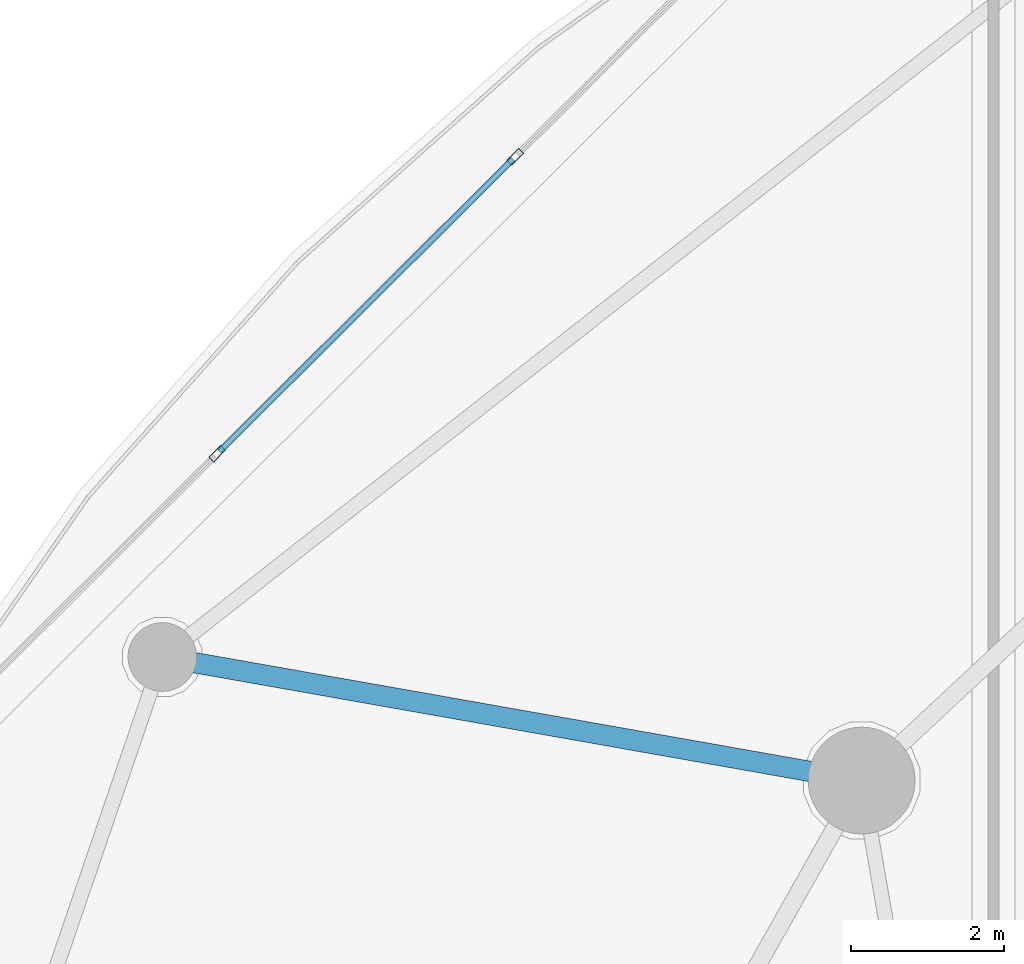
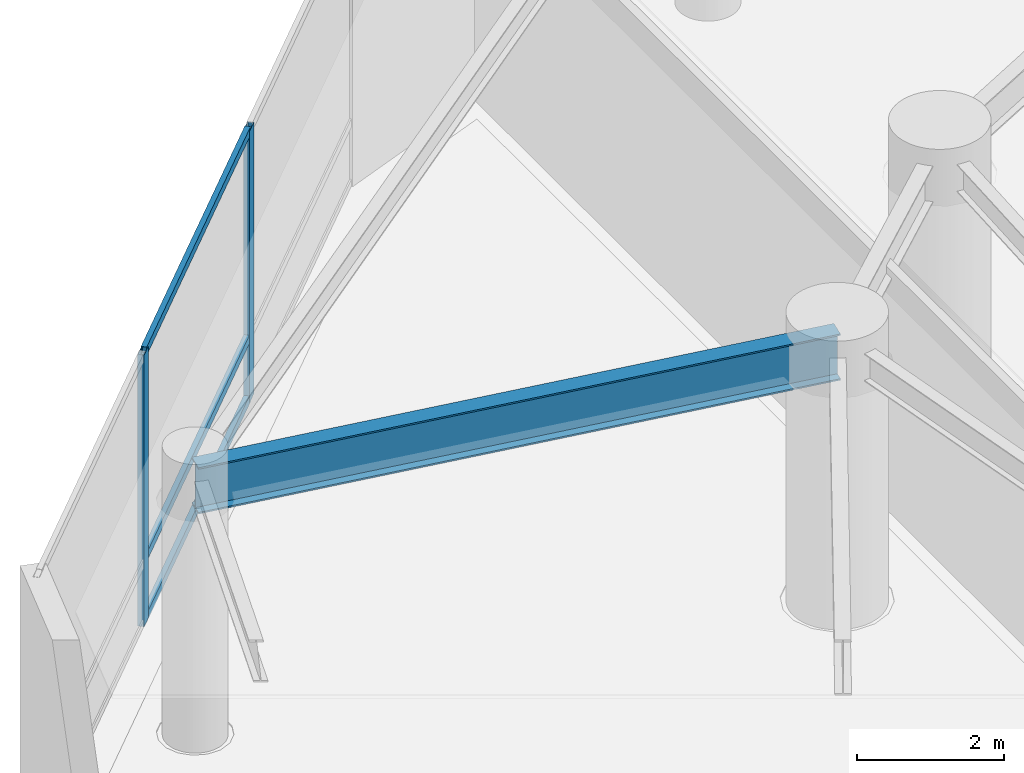
# One storey, part 8 of 36: 5 members, 1 beam, 1 element without a shape of its own.
"""IFC4 building model written with IfcOpenShell, lengths in metres."""

from ifc_helpers import new_model, si_unit, direction, frame, origin, origin_2d, place, context, subcontext, project, spatial, hollow_rectangle, i_section, extrude, material, layer, layer_set, material_profile, profile_set, type_object, element, aggregate, save


model = new_model("IFC4")

# Units and contexts
model_context = context("Model", 3, precision=1e-05, world=origin(), true_north=direction((0.0, 1.0)))
body_context = subcontext(model_context, "Body", "Model", "MODEL_VIEW")
ifc_project = project(units=[si_unit("LENGTHUNIT", "METRE"), si_unit("AREAUNIT", "SQUARE_METRE"), si_unit("VOLUMEUNIT", "CUBIC_METRE"), si_unit("PLANEANGLEUNIT", "RADIAN"), si_unit("MASSUNIT", "GRAM", prefix="KILO")], contexts=[model_context])

# Site, building, storey
site_placement = place(None, origin())
site = spatial("IfcSite", under=ifc_project, at=site_placement, CompositionType="ELEMENT")
building_placement = place(site_placement, origin())
building = spatial("IfcBuilding", under=site, at=building_placement, Name="Kazevale Care Tower and Concert Hall", CompositionType="ELEMENT")
storey_placement = place(building_placement, frame((0.0, 0.0, 14.39990234375)))
storey = spatial("IfcBuildingStorey", under=building, at=storey_placement, Name="L03", CompositionType="ELEMENT", Elevation=14.39990234375)

# Curtain wall, members
ifc_material_1 = material(Name="Aluminium 6063-T6 and Low-E Glass", Category="aluminium")
ifc_layer = layer(ifc_material_1, 0.179931640625)
ifc_layer_set = layer_set([ifc_layer], Name="Aluminium 6063-T6 and Low-E Glass")
curtain_wall_type = type_object("IfcCurtainWallType", Name="Podium Double-Skin Medical Curtain Wall CW-1", PredefinedType="NOTDEFINED", material=ifc_layer_set)
curtain_wall_placement = place(storey_placement, origin())
curtain_wall = element("IfcCurtainWall", 1, at=curtain_wall_placement, inside=storey, type_object=curtain_wall_type, Name="cw:L03:pod:06", PredefinedType="NOTDEFINED")
ifc_material_2 = material(Name="Aluminium 6063-T6", Category="aluminium")
ifc_material_profile_1 = material_profile(ifc_material_2, hollow_rectangle(XDim=0.090087890625, YDim=0.219970703125, WallThickness=0.0048828125, at=origin_2d()), Name="ALU90x220x5")
ifc_profile_set_1 = profile_set([ifc_material_profile_1], Name="Aluminium 6063-T6")
member_type_1 = type_object("IfcMemberType", Name="CW-1 Mullion ALU90x220x5", PredefinedType="MULLION", material=ifc_profile_set_1)
member_1_placement = place(storey_placement, frame((14.728271484375, 60.359375, 0.0), z_axis=(0.0, 0.0, 1.0), x_axis=(0.705655814257, -0.708554776856, 0.0)))
member_1 = element("IfcMember", 2, at=member_1_placement, type_object=member_type_1, Name="CW-1 mullion 2", PredefinedType="MULLION", context=body_context, shape_type="SweptSolid", body=[
    extrude(hollow_rectangle(XDim=0.090087890625, YDim=0.219970703125, WallThickness=0.0048828125, at=origin_2d()), origin(), (0.0, 0.0, 1.0), 4.52001953125),
])
member_2_placement = place(storey_placement, frame((10.817626953125, 56.464599609375, 0.0), z_axis=(0.0, 0.0, 1.0), x_axis=(0.705655814257, -0.708554776856, 0.0)))
member_2 = element("IfcMember", 3, at=member_2_placement, type_object=member_type_1, Name="CW-1 mullion 3", PredefinedType="MULLION", context=body_context, shape_type="SweptSolid", body=[
    extrude(hollow_rectangle(XDim=0.090087890625, YDim=0.219970703125, WallThickness=0.0048828125, at=origin_2d()), origin(), (0.0, 0.0, 1.0), 4.52001953125),
])
ifc_material_profile_2 = material_profile(ifc_material_2, hollow_rectangle(XDim=0.080078125, YDim=0.139892578125, WallThickness=0.00390625, at=origin_2d()), Name="ALU80x140x4")
ifc_profile_set_2 = profile_set([ifc_material_profile_2], Name="Aluminium 6063-T6")
member_type_2 = type_object("IfcMemberType", Name="CW-1 Transom ALU80x140x4", PredefinedType="USERDEFINED", material=ifc_profile_set_2)
member_3_placement = place(storey_placement, frame((14.696533203125, 60.32763671875, 0.0400390625), z_axis=(-0.708544259539, -0.705666374624, 0.0), x_axis=(0.705666374624, -0.708544259539, 0.0)))
member_3 = element("IfcMember", 4, at=member_3_placement, type_object=member_type_2, Name="CW-1 transom 2.1", ObjectType="TRANSOM", PredefinedType="USERDEFINED", context=body_context, shape_type="SweptSolid", body=[
    extrude(hollow_rectangle(XDim=0.080078125, YDim=0.139892578125, WallThickness=0.00390625, at=origin_2d()), origin(), (0.0, 0.0, 1.0), 5.429443359375),
])
member_4_placement = place(storey_placement, frame((14.696533203125, 60.32763671875, 1.050048828125), z_axis=(-0.708544259539, -0.705666374624, 0.0), x_axis=(0.705666374624, -0.708544259539, 0.0)))
member_4 = element("IfcMember", 5, at=member_4_placement, type_object=member_type_2, Name="CW-1 transom 2.2", ObjectType="TRANSOM", PredefinedType="USERDEFINED", context=body_context, shape_type="SweptSolid", body=[
    extrude(hollow_rectangle(XDim=0.080078125, YDim=0.139892578125, WallThickness=0.00390625, at=origin_2d()), origin(), (0.0, 0.0, 1.0), 5.429443359375),
])
member_5_placement = place(storey_placement, frame((14.696533203125, 60.32763671875, 4.47998046875), z_axis=(-0.708544259539, -0.705666374624, 0.0), x_axis=(0.705666374624, -0.708544259539, 0.0)))
member_5 = element("IfcMember", 6, at=member_5_placement, type_object=member_type_2, Name="CW-1 transom 2.3", ObjectType="TRANSOM", PredefinedType="USERDEFINED", context=body_context, shape_type="SweptSolid", body=[
    extrude(hollow_rectangle(XDim=0.080078125, YDim=0.139892578125, WallThickness=0.00390625, at=origin_2d()), origin(), (0.0, 0.0, 1.0), 5.429443359375),
])
aggregate(curtain_wall, [member_1, member_2, member_3, member_4, member_5])

# Beam
ifc_material_3 = material(Name="Steel ASTM A572 Gr 50", Category="steel")
ifc_material_profile_3 = material_profile(ifc_material_3, i_section(OverallWidth=0.26806640625, OverallDepth=0.77001953125, WebThickness=0.015625, FlangeThickness=0.025390625, at=origin_2d()), Name="W760x196")
ifc_profile_set_3 = profile_set([ifc_material_profile_3], Name="Steel ASTM A572 Gr 50")
beam_type = type_object("IfcBeamType", Name="Podium Primary Girder W760x196", PredefinedType="BEAM", material=ifc_profile_set_3)
beam_placement = place(storey_placement, frame((19.27001953125, 52.179931640625, 4.135009765625), z_axis=(-0.984748698979, 0.17398275736, 0.0), x_axis=(-0.17398275736, -0.984748698979, 0.0)))
element("IfcBeam", 7, at=beam_placement, inside=storey, type_object=beam_type, Name="beam:L03:podrad:06", PredefinedType="BEAM", context=body_context, shape_type="SweptSolid", body=[
    extrude(i_section(OverallWidth=0.26806640625, OverallDepth=0.77001953125, WebThickness=0.015625, FlangeThickness=0.025390625, at=origin_2d()), origin(), (0.0, 0.0, 1.0), 9.31201171875),
])

save(model, "model.ifc")
